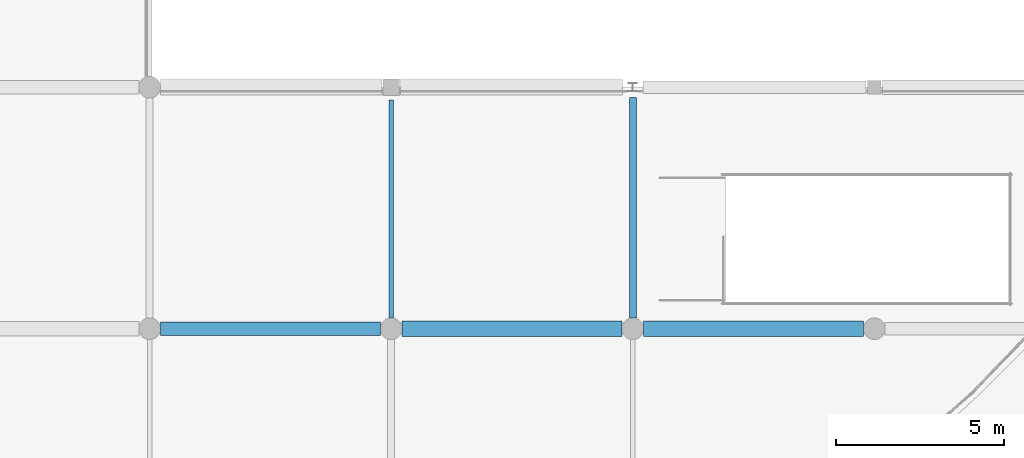
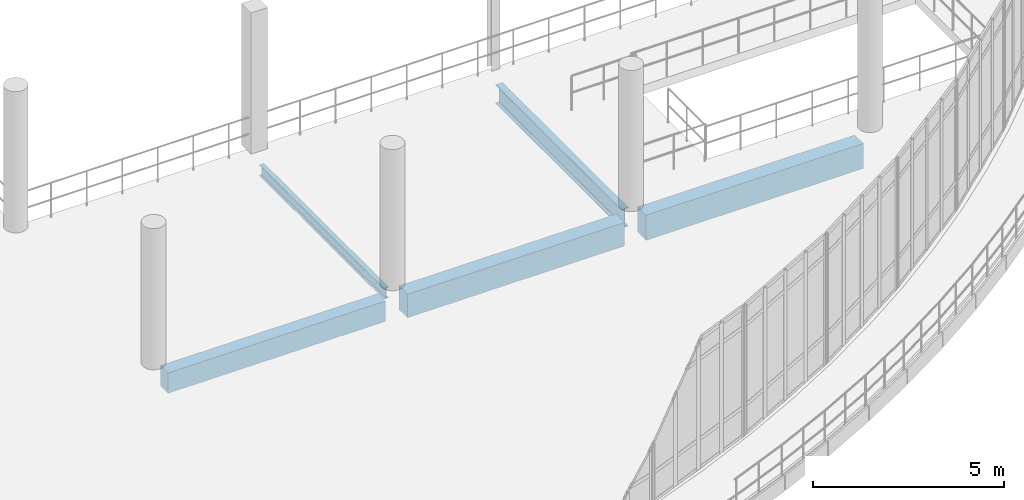
# One storey, part 39 of 116: 5 beams.
"""IFC4 building model written with IfcOpenShell, lengths in metres."""

import ifcopenshell
import ifcopenshell.guid

model = None  # the IFC model being written
_history = None  # IfcOwnerHistory: only IFC2X3 demands one
_inside = {}  # id of a spatial element -> (the spatial element, [elements in it])
_under = {}  # id of a project, library or spatial element -> (it, [spatial elements below it])
_declared = {}  # id of a project -> (the project, [libraries it declares])
_typed = {}  # id of a type object -> (the type object, [elements of that type])
_made_of = {}  # id of a material, layer set ... -> (it, [elements and type objects made of it])


def new_model(schema):
    """Start an empty IFC model of exactly this schema.

    Asked for "IFC4X3", IfcOpenShell would pick the latest addendum, in which some entities
    have other attributes; the version numbers below select the first issue.
    IFC2X3 requires an IfcOwnerHistory on every rooted entity: one is made here for all.
    """
    global model, _history
    if schema == "IFC4X3":
        model = ifcopenshell.file(schema_version=(4, 3, 0, 0))
    else:
        model = ifcopenshell.file(schema=schema)
    _inside.clear()
    _under.clear()
    _declared.clear()
    _typed.clear()
    _made_of.clear()
    _history = None
    if model.schema == "IFC2X3":
        org = make("IfcOrganization", Name="unknown")
        user = make(
            "IfcPersonAndOrganization",
            ThePerson=make("IfcPerson", FamilyName="unknown"),
            TheOrganization=org,
        )
        app = make(
            "IfcApplication",
            ApplicationDeveloper=org,
            Version="unknown",
            ApplicationFullName="unknown",
            ApplicationIdentifier="unknown",
        )
        _history = make(
            "IfcOwnerHistory",
            OwningUser=user,
            OwningApplication=app,
            ChangeAction="ADDED",
            CreationDate=0,
        )
    return model


def make(cls, **values):
    """One entity of the class cls with the attributes given. An attribute that is None is left unset."""
    return model.create_entity(
        cls, **{name: value for name, value in values.items() if value is not None}
    )


def rooted(cls, **values):
    """An entity with a GlobalId (a new one), such as an element, a storey or a relation."""
    return make(cls, GlobalId=ifcopenshell.guid.new(), OwnerHistory=_history, **values)


def si_unit(unit_type, name, prefix=None):
    """IfcSIUnit, for example si_unit("LENGTHUNIT", "METRE", prefix="MILLI")."""
    return make("IfcSIUnit", UnitType=unit_type, Prefix=prefix, Name=name)


def assignment(units):
    """IfcUnitAssignment: the units of a project."""
    return None if units is None else make("IfcUnitAssignment", Units=units)


def point(xyz):
    """IfcCartesianPoint."""
    return None if xyz is None else make("IfcCartesianPoint", Coordinates=xyz)


def direction(xyz):
    """IfcDirection."""
    return None if xyz is None else make("IfcDirection", DirectionRatios=xyz)


def frame(location, z_axis=None, x_axis=None):
    """IfcAxis2Placement3D, a coordinate frame: its origin and axes. An axis left out is left unset."""
    return make(
        "IfcAxis2Placement3D",
        Location=point(location),
        Axis=direction(z_axis),
        RefDirection=direction(x_axis),
    )


def frame_2d(location, x_axis=None):
    """IfcAxis2Placement2D, a coordinate frame in the plane: its origin and x axis."""
    return make(
        "IfcAxis2Placement2D", Location=point(location), RefDirection=direction(x_axis)
    )


def origin():
    """The frame at (0, 0, 0) with its axes left unset."""
    return frame((0.0, 0.0, 0.0))


def origin_2d():
    """The frame at (0, 0) in the plane with its x axis left unset."""
    return frame_2d((0.0, 0.0))


def place(relative_to, where):
    """IfcLocalPlacement: puts the frame where relative to a parent placement (None: the world)."""
    return make(
        "IfcLocalPlacement", PlacementRelTo=relative_to, RelativePlacement=where
    )


def context(
    kind, dimensions, precision=None, world=None, true_north=None, identifier=None
):
    """IfcGeometricRepresentationContext, for example the 3D "Model" context."""
    return make(
        "IfcGeometricRepresentationContext",
        ContextIdentifier=identifier,
        ContextType=kind,
        CoordinateSpaceDimension=dimensions,
        Precision=precision,
        WorldCoordinateSystem=world,
        TrueNorth=true_north,
    )


def subcontext(parent, identifier, kind, view, scale=None):
    """IfcGeometricRepresentationSubContext, for example "Body" below "Model"."""
    return make(
        "IfcGeometricRepresentationSubContext",
        ContextIdentifier=identifier,
        ContextType=kind,
        ParentContext=parent,
        TargetScale=scale,
        TargetView=view,
    )


def project(units=None, contexts=None):
    """IfcProject with its units and contexts."""
    return rooted(
        "IfcProject",
        Name="project",
        RepresentationContexts=contexts,
        UnitsInContext=assignment(units),
    )


def spatial(cls, under=None, at=None, **own):
    """A site, building, storey or space (cls), placed at a placement, below another one or the project."""
    s = rooted(cls, ObjectPlacement=at, **own)
    if under is not None:
        _under.setdefault(under.id(), (under, []))[1].append(s)
    return s


def profile(cls, at=None, kind="AREA", **sizes):
    """A parametric profile (cls). Its sizes go by their IFC names, for example OverallWidth=200.0."""
    return make(cls, ProfileType=kind, Position=at, **sizes)


def rectangle(**sizes):
    """IfcRectangleProfileDef."""
    return profile("IfcRectangleProfileDef", **sizes)


def i_section(**sizes):
    """IfcIShapeProfileDef."""
    return profile("IfcIShapeProfileDef", **sizes)


def extrude(swept, where, along, depth):
    """IfcExtrudedAreaSolid: the profile swept, set in the frame where, extruded along a direction by depth."""
    return make(
        "IfcExtrudedAreaSolid",
        SweptArea=swept,
        Position=where,
        ExtrudedDirection=direction(along),
        Depth=depth,
    )


def shape(context_of_items, identifier, shape_type, items):
    """IfcShapeRepresentation: the items that make up one representation, for example the "Body"."""
    return make(
        "IfcShapeRepresentation",
        ContextOfItems=context_of_items,
        RepresentationIdentifier=identifier,
        RepresentationType=shape_type,
        Items=items,
    )


def material(Name=None, Category=None):
    """IfcMaterial."""
    return make("IfcMaterial", Name=Name, Category=Category)


def material_profile(
    of_material, cross_section, Name=None, Category=None, Priority=None
):
    """IfcMaterialProfile: a cross section and its material."""
    return make(
        "IfcMaterialProfile",
        Name=Name,
        Material=of_material,
        Profile=cross_section,
        Priority=Priority,
        Category=Category,
    )


def profile_set(profiles, Name=None, composite=None):
    """IfcMaterialProfileSet."""
    return make(
        "IfcMaterialProfileSet",
        Name=Name,
        MaterialProfiles=profiles,
        CompositeProfile=composite,
    )


def made_of(thing, what):
    """Note that an element or type object is made of a material, layer set ...; save() writes the relation."""
    if what is not None:
        _made_of.setdefault(what.id(), (what, []))[1].append(thing)
    return thing


def type_object(cls, material=None, **own):
    """A type object (cls), such as IfcWallType, which elements share."""
    return made_of(rooted(cls, **own), material)


def element(
    cls,
    number,
    at=None,
    inside=None,
    cuts=None,
    type_object=None,
    material=None,
    context=None,
    identifier="Body",
    shape_type=None,
    held_by="IfcProductDefinitionShape",
    body=None,
    shapes=None,
    **own,
):
    """One element of the class cls, such as IfcWall. Its Tag is "e" and its number.

    at: its placement. inside: the storey or other place that contains it. cuts: it is an
    opening in that element (IfcRelVoidsElement). A single representation is given by context,
    identifier, shape_type and body (its items); several are given by shapes. held_by: the class
    of the entity that holds the representations. save() writes the other relations.
    """
    e = rooted(cls, Tag="e%d" % number, ObjectPlacement=at, **own)
    if body is not None:
        shapes = [shape(context, identifier, shape_type, body)]
    if shapes is not None:
        e.Representation = make(held_by, Representations=shapes)
    if inside is not None:
        _inside.setdefault(inside.id(), (inside, []))[1].append(e)
    if cuts is not None:
        rooted(
            "IfcRelVoidsElement", RelatingBuildingElement=cuts, RelatedOpeningElement=e
        )
    if type_object is not None:
        _typed.setdefault(type_object.id(), (type_object, []))[1].append(e)
    return made_of(e, material)


def aggregate(whole, parts):
    """IfcRelAggregates: a whole, such as a stair, and the parts it consists of."""
    return rooted("IfcRelAggregates", RelatingObject=whole, RelatedObjects=parts)


def save(model, path):
    """Write the relations noted so far, then the file.

    IfcRelAggregates (storeys below a building ...), IfcRelContainedInSpatialStructure (elements
    in a storey), IfcRelDefinesByType, IfcRelAssociatesMaterial and IfcRelDeclares: one each for
    every whole, place, type object, material and project.
    """
    for whole, parts in _under.values():
        aggregate(whole, parts)
    for where, things in _inside.values():
        rooted(
            "IfcRelContainedInSpatialStructure",
            RelatedElements=things,
            RelatingStructure=where,
        )
    for kind, things in _typed.values():
        rooted("IfcRelDefinesByType", RelatedObjects=things, RelatingType=kind)
    for what, things in _made_of.values():
        rooted("IfcRelAssociatesMaterial", RelatedObjects=things, RelatingMaterial=what)
    for by, libraries in _declared.values():
        rooted("IfcRelDeclares", RelatingContext=by, RelatedDefinitions=libraries)
    model.write(path)


model = new_model("IFC4")

# Units and contexts
model_context = context("Model", 3, precision=1e-05, world=origin(), true_north=direction((0.0, 1.0)))
body_context = subcontext(model_context, "Body", "Model", "MODEL_VIEW")
ifc_project = project(units=[si_unit("LENGTHUNIT", "METRE"), si_unit("AREAUNIT", "SQUARE_METRE"), si_unit("VOLUMEUNIT", "CUBIC_METRE"), si_unit("PLANEANGLEUNIT", "RADIAN"), si_unit("MASSUNIT", "GRAM", prefix="KILO")], contexts=[model_context])

# Site, building, storey
site_placement = place(None, origin())
site = spatial("IfcSite", under=ifc_project, at=site_placement, CompositionType="ELEMENT")
building_placement = place(site_placement, origin())
building = spatial("IfcBuilding", under=site, at=building_placement, Name="Kalluvel Institute of Natural Sciences", CompositionType="ELEMENT")
storey_placement = place(building_placement, frame((0.0, 0.0, 14.39990234375)))
storey = spatial("IfcBuildingStorey", under=building, at=storey_placement, Name="L03", CompositionType="ELEMENT", Elevation=14.39990234375)

# Beams
ifc_material_1 = material(Name="Steel E350 Grade 350", Category="steel")
ifc_material_profile_1 = material_profile(ifc_material_1, i_section(OverallWidth=0.139892578125, OverallDepth=0.35009765625, WebThickness=0.008056640625, FlangeThickness=0.01416015625, FilletRadius=0.013916015625, at=origin_2d()), Name="ISMB 350")
ifc_profile_set_1 = profile_set([ifc_material_profile_1], Name="Steel E350 Grade 350")
beam_type_1 = type_object("IfcBeamType", Name="BM-ISMB350", PredefinedType="BEAM", material=ifc_profile_set_1)
beam_1_placement = place(storey_placement, frame((50.0, 71.925048828125, -0.494873046875), z_axis=(0.0, 1.0, 0.0), x_axis=(-1.0, 0.0, 0.0)))
element("IfcBeam", 1, at=beam_1_placement, inside=storey, type_object=beam_type_1, Name="L03 girder GIR-L03-NS-X500-Y716", PredefinedType="BEAM", context=body_context, shape_type="SweptSolid", body=[
    extrude(i_section(OverallWidth=0.139892578125, OverallDepth=0.35009765625, WebThickness=0.008056640625, FlangeThickness=0.01416015625, FilletRadius=0.013916015625, at=origin_2d()), origin(), (0.0, 0.0, 1.0), 6.5),
])
ifc_material_profile_2 = material_profile(ifc_material_1, i_section(OverallWidth=0.2099609375, OverallDepth=0.60009765625, WebThickness=0.011962890625, FlangeThickness=0.020751953125, FilletRadius=0.02001953125, at=origin_2d()), Name="ISMB 600")
ifc_profile_set_2 = profile_set([ifc_material_profile_2], Name="Steel E350 Grade 350")
beam_type_2 = type_object("IfcBeamType", Name="BM-ISMB600", PredefinedType="BEAM", material=ifc_profile_set_2)
beam_2_placement = place(storey_placement, frame((57.199951171875, 71.925048828125, -0.619873046875), z_axis=(0.0, 1.0, 0.0), x_axis=(-1.0, 0.0, 0.0)))
element("IfcBeam", 2, at=beam_2_placement, inside=storey, type_object=beam_type_2, Name="L03 girder GIR-L03-NS-X572-Y716", PredefinedType="BEAM", context=body_context, shape_type="SweptSolid", body=[
    extrude(i_section(OverallWidth=0.2099609375, OverallDepth=0.60009765625, WebThickness=0.011962890625, FlangeThickness=0.020751953125, FilletRadius=0.02001953125, at=origin_2d()), origin(), (0.0, 0.0, 1.0), 6.574951171875),
])
ifc_material_2 = material(Name="Concrete M40", Category="concrete")
ifc_material_profile_3 = material_profile(ifc_material_2, rectangle(XDim=0.39990234375, YDim=0.64990234375, at=origin_2d()), Name="RCB 400x650")
ifc_profile_set_3 = profile_set([ifc_material_profile_3], Name="Concrete M40")
beam_type_3 = type_object("IfcBeamType", Name="BM-RC400x650", PredefinedType="BEAM", material=ifc_profile_set_3)
beam_3_placement = place(storey_placement, frame((43.125, 71.60009765625, -0.64501953125), z_axis=(1.0, 0.0, 0.0), x_axis=(0.0, 1.0, 0.0)))
element("IfcBeam", 3, at=beam_3_placement, inside=storey, type_object=beam_type_3, Name="L03 girder GIR-L03-EW-X428-Y716", PredefinedType="BEAM", context=body_context, shape_type="SweptSolid", body=[
    extrude(rectangle(XDim=0.39990234375, YDim=0.64990234375, at=origin_2d()), origin(), (0.0, 0.0, 1.0), 6.550048828125),
])
ifc_material_profile_4 = material_profile(ifc_material_2, rectangle(XDim=0.449951171875, YDim=0.75, at=origin_2d()), Name="RCB 450x750")
ifc_profile_set_4 = profile_set([ifc_material_profile_4], Name="Concrete M40")
beam_type_4 = type_object("IfcBeamType", Name="BM-RC450x750", PredefinedType="BEAM", material=ifc_profile_set_4)
beam_4_placement = place(storey_placement, frame((50.324951171875, 71.60009765625, -0.69482421875), z_axis=(1.0, 0.0, 0.0), x_axis=(0.0, 1.0, 0.0)))
element("IfcBeam", 4, at=beam_4_placement, inside=storey, type_object=beam_type_4, Name="L03 girder GIR-L03-EW-X500-Y716", PredefinedType="BEAM", context=body_context, shape_type="SweptSolid", body=[
    extrude(rectangle(XDim=0.449951171875, YDim=0.75, at=origin_2d()), origin(), (0.0, 0.0, 1.0), 6.550048828125),
])
ifc_material_profile_5 = material_profile(ifc_material_2, rectangle(XDim=0.449951171875, YDim=0.800048828125, at=origin_2d()), Name="RCB 450x800")
ifc_profile_set_5 = profile_set([ifc_material_profile_5], Name="Concrete M40")
beam_type_5 = type_object("IfcBeamType", Name="BM-RC450x800", PredefinedType="BEAM", material=ifc_profile_set_5)
beam_5_placement = place(storey_placement, frame((57.52490234375, 71.60009765625, -0.719970703125), z_axis=(1.0, 0.0, 0.0), x_axis=(0.0, 1.0, 0.0)))
element("IfcBeam", 5, at=beam_5_placement, inside=storey, type_object=beam_type_5, Name="L03 girder GIR-L03-EW-X572-Y716", PredefinedType="BEAM", context=body_context, shape_type="SweptSolid", body=[
    extrude(rectangle(XDim=0.449951171875, YDim=0.800048828125, at=origin_2d()), origin(), (0.0, 0.0, 1.0), 6.550048828125),
])

save(model, "model.ifc")
